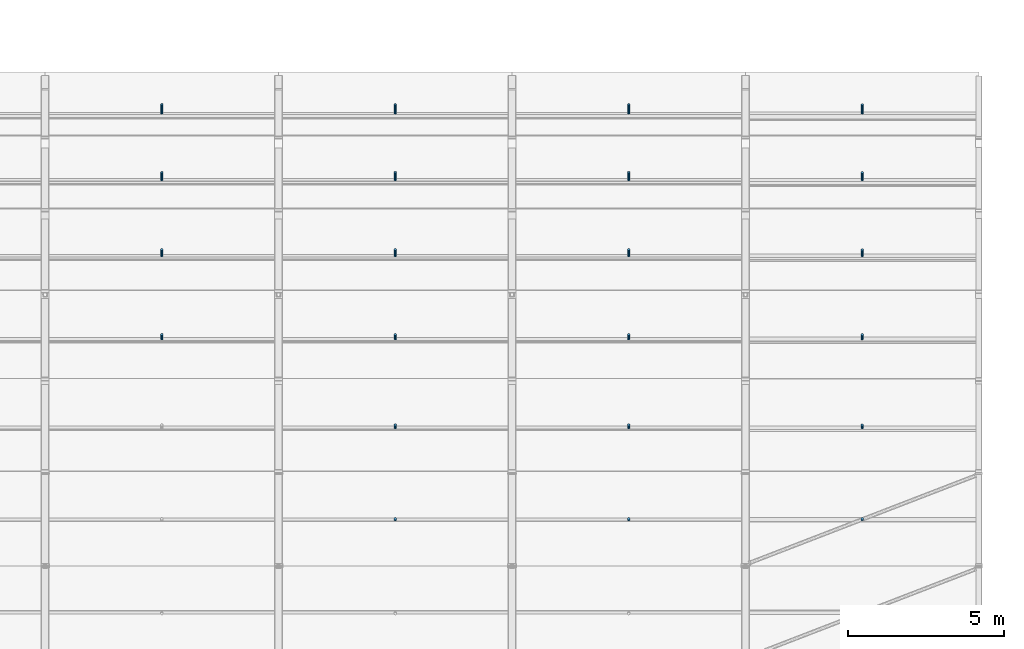
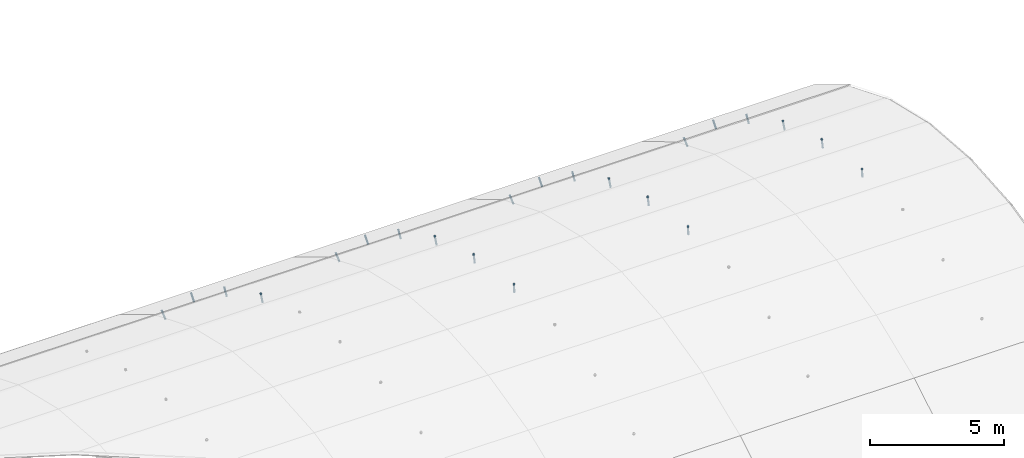
# One storey, part 69 of 77: 22 discrete accessories.
"""IFC4 building model written with IfcOpenShell, lengths in metres."""

from ifc_helpers import new_model, si_unit, direction, frame, origin, origin_2d, place, context, subcontext, project, spatial, circle, extrude, material, type_object, element, save


model = new_model("IFC4")

# Units and contexts
model_context = context("Model", 3, precision=1e-05, world=origin(), true_north=direction((0.0, 1.0)))
body_context = subcontext(model_context, "Body", "Model", "MODEL_VIEW")
ifc_project = project(units=[si_unit("LENGTHUNIT", "METRE"), si_unit("AREAUNIT", "SQUARE_METRE"), si_unit("VOLUMEUNIT", "CUBIC_METRE"), si_unit("PLANEANGLEUNIT", "RADIAN"), si_unit("MASSUNIT", "GRAM", prefix="KILO")], contexts=[model_context])

# Site, building, storey
site_placement = place(None, origin())
site = spatial("IfcSite", under=ifc_project, at=site_placement, CompositionType="ELEMENT")
building_placement = place(site_placement, origin())
building = spatial("IfcBuilding", under=site, at=building_placement, Name="Yukiwa Park Conservatory and Herbarium", CompositionType="ELEMENT")
storey_placement = place(building_placement, frame((0.0, 0.0, 13.199951171875)))
storey = spatial("IfcBuildingStorey", under=building, at=storey_placement, Name="L03", CompositionType="ELEMENT", Elevation=13.199951171875)

# Discrete accessories
ifc_material = material(Name="Steel Q355D", Category="steel")
discrete_accessory_type = type_object("IfcDiscreteAccessoryType", Name="ACC-SPIDER-BRACKET", PredefinedType="BRACKET", material=ifc_material)
for number, where, z_axis, x_axis, name in (
    (1, (33.75, 22.89453125, 2.03076171875), (0.0, 0.376644212225, 0.926357996348), (-1.0, 0.0, 0.0), "Conservatory glazing spider bracket 5.9"),
    (2, (33.75, 25.56787109375, 0.694091796875), (0.0, 0.514861923688, 0.857273118403), (-1.0, 0.0, 0.0), "Conservatory glazing spider bracket 5.10"),
    (3, (33.75, 28.00341796875, -1.0380859375), (0.0, 0.640735457836, 0.767761729361), (-1.0, 0.0, 0.0), "Conservatory glazing spider bracket 5.11"),
    (4, (33.75, 30.143310546875, -3.12451171875), (0.0, 0.751379998417, 0.659869758345), (-1.0, 0.0, 0.0), "Conservatory glazing spider bracket 5.12"),
    (5, (41.25, 17.094482421875, 3.400146484375), (0.0, 0.077220326377, 0.997014052656), (-1.0, 0.0, 0.0), "Conservatory glazing spider bracket 6.7"),
    (6, (41.25, 20.047607421875, 2.93994140625), (0.0, 0.229178177761, 0.973384488698), (-1.0, 0.0, 0.0), "Conservatory glazing spider bracket 6.8"),
    (7, (41.25, 22.89453125, 2.03076171875), (0.0, 0.376644212225, 0.926357996348), (-1.0, 0.0, 0.0), "Conservatory glazing spider bracket 6.9"),
    (8, (41.25, 25.56787109375, 0.694091796875), (0.0, 0.514861923688, 0.857273118403), (-1.0, 0.0, 0.0), "Conservatory glazing spider bracket 6.10"),
    (9, (41.25, 28.00341796875, -1.0380859375), (0.0, 0.640735457836, 0.767761729361), (-1.0, 0.0, 0.0), "Conservatory glazing spider bracket 6.11"),
    (10, (41.25, 30.143310546875, -3.12451171875), (0.0, 0.751379998417, 0.659869758345), (-1.0, 0.0, 0.0), "Conservatory glazing spider bracket 6.12"),
    (11, (48.75, 17.094482421875, 3.400146484375), (0.0, 0.077220326377, 0.997014052656), (-1.0, 0.0, 0.0), "Conservatory glazing spider bracket 7.7"),
    (12, (48.75, 20.047607421875, 2.93994140625), (0.0, 0.229178177761, 0.973384488698), (-1.0, 0.0, 0.0), "Conservatory glazing spider bracket 7.8"),
    (13, (48.75, 22.89453125, 2.03076171875), (0.0, 0.376644212225, 0.926357996348), (-1.0, 0.0, 0.0), "Conservatory glazing spider bracket 7.9"),
    (14, (48.75, 25.56787109375, 0.694091796875), (0.0, 0.514861923688, 0.857273118403), (-1.0, 0.0, 0.0), "Conservatory glazing spider bracket 7.10"),
    (15, (48.75, 28.00341796875, -1.0380859375), (0.0, 0.640735457836, 0.767761729361), (-1.0, 0.0, 0.0), "Conservatory glazing spider bracket 7.11"),
    (16, (48.75, 30.143310546875, -3.12451171875), (0.0, 0.751379998417, 0.659869758345), (-1.0, 0.0, 0.0), "Conservatory glazing spider bracket 7.12"),
):
    element("IfcDiscreteAccessory", number, at=place(storey_placement, frame(where, z_axis=z_axis, x_axis=x_axis)), inside=storey, type_object=discrete_accessory_type, Name=name, PredefinedType="BRACKET", context=body_context, shape_type="SweptSolid", body=[
        extrude(circle(Radius=0.0400390625, at=origin_2d()), origin(), (0.0, 0.0, 1.0), 0.39208984375),
    ])
for number, where, z_axis, x_axis, name in (
    (17, (56.25, 17.094482421875, 3.400146484375), (0.0, 0.076696498885, 0.997054485502), (-1.0, 0.0, 0.0), "Conservatory glazing spider bracket 8.7"),
    (18, (56.25, 20.047607421875, 2.93994140625), (0.0, 0.229431146984, 0.97332489375), (-1.0, 0.0, 0.0), "Conservatory glazing spider bracket 8.8"),
    (19, (56.25, 22.89453125, 2.03076171875), (0.0, 0.376891026254, 0.926257606894), (-1.0, 0.0, 0.0), "Conservatory glazing spider bracket 8.9"),
    (20, (56.25, 25.56787109375, 0.694091796875), (0.0, 0.514871469763, 0.857267385139), (-1.0, 0.0, 0.0), "Conservatory glazing spider bracket 8.10"),
):
    element("IfcDiscreteAccessory", number, at=place(storey_placement, frame(where, z_axis=z_axis, x_axis=x_axis)), inside=storey, type_object=discrete_accessory_type, Name=name, PredefinedType="BRACKET", context=body_context, shape_type="SweptSolid", body=[
        extrude(circle(Radius=0.0400390625, at=origin_2d()), origin(), (0.0, 0.0, 1.0), 0.382080078125),
    ])
discrete_accessory_1_placement = place(storey_placement, frame((56.25, 28.00341796875, -1.0380859375), z_axis=(0.0, 0.640686901787, 0.767802249201), x_axis=(-1.0, 0.0, 0.0)))
element("IfcDiscreteAccessory", 21, at=discrete_accessory_1_placement, inside=storey, type_object=discrete_accessory_type, Name="Conservatory glazing spider bracket 8.11", PredefinedType="BRACKET", context=body_context, shape_type="SweptSolid", body=[
    extrude(circle(Radius=0.0400390625, at=origin_2d()), origin(), (0.0, 0.0, 1.0), 0.38232421875),
])
discrete_accessory_2_placement = place(storey_placement, frame((56.25, 30.143310546875, -3.12451171875), z_axis=(0.0, 0.751308874164, 0.659950737254), x_axis=(-1.0, 0.0, 0.0)))
element("IfcDiscreteAccessory", 22, at=discrete_accessory_2_placement, inside=storey, type_object=discrete_accessory_type, Name="Conservatory glazing spider bracket 8.12", PredefinedType="BRACKET", context=body_context, shape_type="SweptSolid", body=[
    extrude(circle(Radius=0.0400390625, at=origin_2d()), origin(), (0.0, 0.0, 1.0), 0.382080078125),
])

save(model, "model.ifc")
